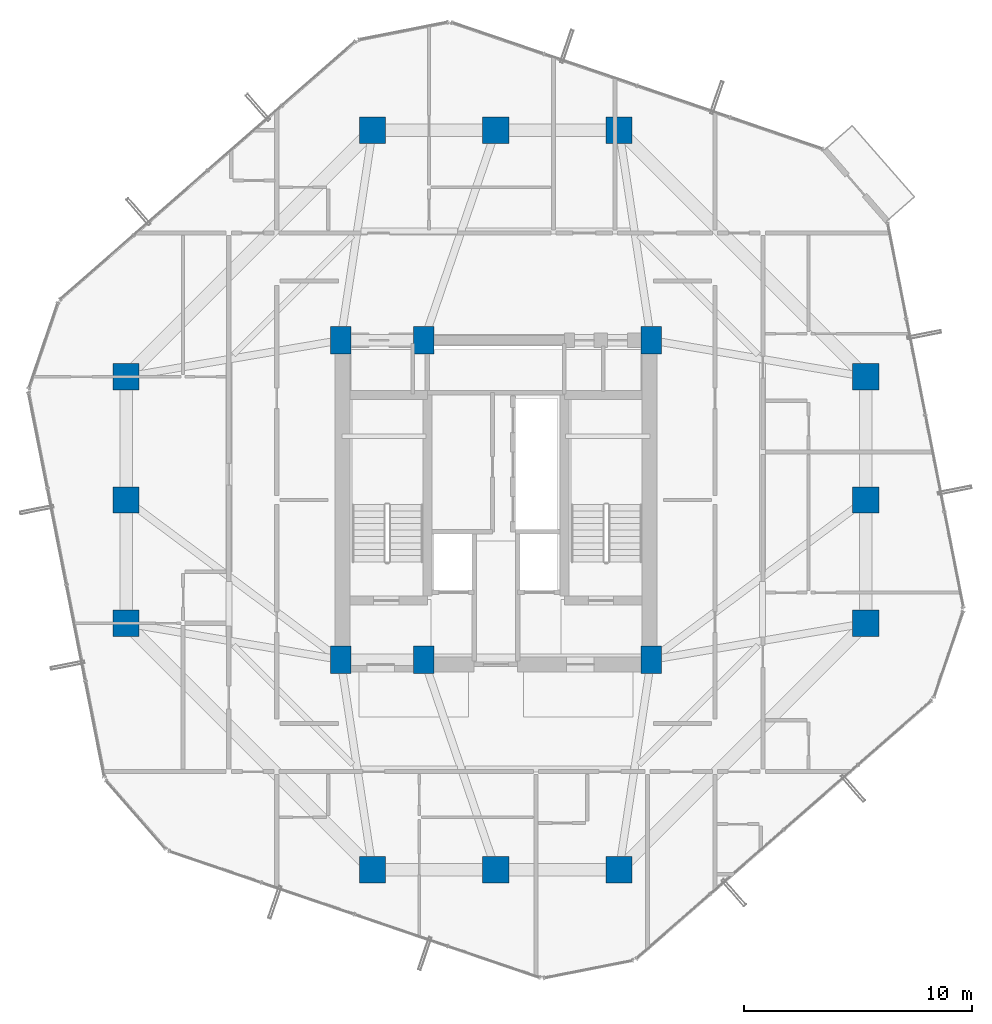
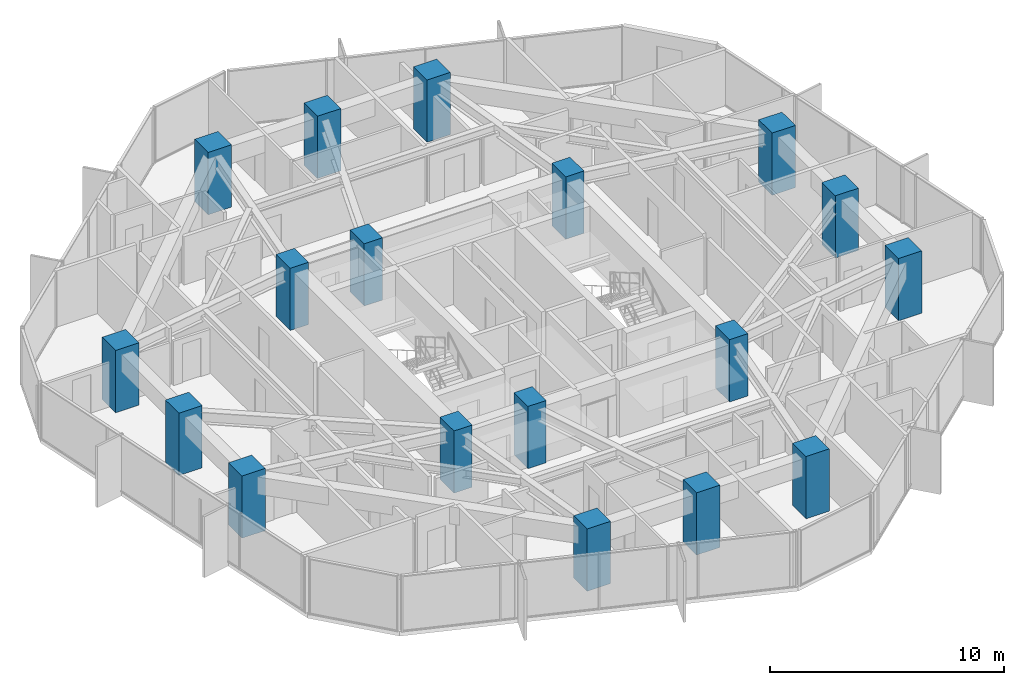
# One storey, part 1 of 36: 18 columns.
"""IFC4 building model written with IfcOpenShell, lengths in metres."""

from ifc_helpers import new_model, si_unit, direction, frame, origin, origin_2d, place, context, subcontext, project, spatial, rectangle, extrude, material, material_profile, profile_set, type_object, element, save


model = new_model("IFC4")

# Units and contexts
model_context = context("Model", 3, precision=1e-05, world=origin(), true_north=direction((0.0, 1.0)))
body_context = subcontext(model_context, "Body", "Model", "MODEL_VIEW")
ifc_project = project(units=[si_unit("LENGTHUNIT", "METRE"), si_unit("AREAUNIT", "SQUARE_METRE"), si_unit("VOLUMEUNIT", "CUBIC_METRE"), si_unit("PLANEANGLEUNIT", "RADIAN"), si_unit("MASSUNIT", "GRAM", prefix="KILO")], contexts=[model_context])

# Site, building, storey
site_placement = place(None, origin())
site = spatial("IfcSite", under=ifc_project, at=site_placement, CompositionType="ELEMENT")
building_placement = place(site_placement, origin())
building = spatial("IfcBuilding", under=site, at=building_placement, Name="Veraguas Prism Commons", CompositionType="ELEMENT")
storey_placement = place(building_placement, frame((0.0, 0.0, 166.300048828125)))
storey = spatial("IfcBuildingStorey", under=building, at=storey_placement, Name="L47", CompositionType="ELEMENT", Elevation=166.300048828125)

# Columns
ifc_material = material(Name="Concrete C60/75", Category="concrete")
ifc_material_profile_1 = material_profile(ifc_material, rectangle(XDim=1.14990234375, YDim=1.14990234375, at=origin_2d()), Name="RC1150X1150")
ifc_profile_set_1 = profile_set([ifc_material_profile_1], Name="Concrete C60/75")
column_type_1 = type_object("IfcColumnType", Name="Column Tube Z2 RC 1150x1150", PredefinedType="COLUMN", material=ifc_profile_set_1)
for number, where, z_axis, x_axis, name in (
    (1, (40.199951171875, 18.60009765625, 0.0), (0.0, 0.0, 1.0), (1.0, 0.0, 0.0), "Tower Perimeter Column L47-TB01"),
    (2, (40.199951171875, 24.0, 0.0), (0.0, 0.0, 1.0), (1.0, 0.0, 0.0), "Tower Perimeter Column L47-TB02"),
    (3, (40.199951171875, 29.39990234375, 0.0), (0.0, 0.0, 1.0), (1.0, 0.0, 0.0), "Tower Perimeter Column L47-TB03"),
    (4, (29.39990234375, 40.199951171875, 0.0), (0.0, 0.0, 1.0), (1.0, 0.0, 0.0), "Tower Perimeter Column L47-TB04"),
    (5, (24.0, 40.199951171875, 0.0), (0.0, 0.0, 1.0), (1.0, 0.0, 0.0), "Tower Perimeter Column L47-TB05"),
    (6, (18.60009765625, 40.199951171875, 0.0), (0.0, 0.0, 1.0), (1.0, 0.0, 0.0), "Tower Perimeter Column L47-TB06"),
    (7, (7.800048828125, 29.39990234375, 0.0), (0.0, 0.0, 1.0), (1.0, 0.0, 0.0), "Tower Perimeter Column L47-TB07"),
    (8, (7.800048828125, 24.0, 0.0), (0.0, 0.0, 1.0), (1.0, 0.0, 0.0), "Tower Perimeter Column L47-TB08"),
    (9, (7.800048828125, 18.60009765625, 0.0), (0.0, 0.0, 1.0), (1.0, 0.0, 0.0), "Tower Perimeter Column L47-TB09"),
    (10, (18.60009765625, 7.800048828125, 0.0), (0.0, 0.0, 1.0), (1.0, 0.0, 0.0), "Tower Perimeter Column L47-TB10"),
    (11, (24.0, 7.800048828125, 0.0), (0.0, 0.0, 1.0), (1.0, 0.0, 0.0), "Tower Perimeter Column L47-TB11"),
    (12, (29.39990234375, 7.800048828125, 0.0), (0.0, 0.0, 1.0), (1.0, 0.0, 0.0), "Tower Perimeter Column L47-TB12"),
):
    element("IfcColumn", number, at=place(storey_placement, frame(where, z_axis=z_axis, x_axis=x_axis)), inside=storey, type_object=column_type_1, Name=name, PredefinedType="COLUMN", context=body_context, shape_type="SweptSolid", body=[
        extrude(rectangle(XDim=1.14990234375, YDim=1.14990234375, at=origin_2d()), origin(), (0.0, 0.0, 1.0), 3.25),
    ])
ifc_material_profile_2 = material_profile(ifc_material, rectangle(XDim=0.89990234375, YDim=1.199951171875, at=origin_2d()), Name="RC900X1200")
ifc_profile_set_2 = profile_set([ifc_material_profile_2], Name="Concrete C60/75")
column_type_2 = type_object("IfcColumnType", Name="Pilaster Core Lower RC 900x1200", PredefinedType="PILASTER", material=ifc_profile_set_2)
for number, where, z_axis, x_axis, name in (
    (13, (17.199951171875, 17.0, 0.0), (0.0, 0.0, 1.0), (1.0, 0.0, 0.0), "Core Pilaster Column L47-CR1"),
    (14, (20.85009765625, 17.0, 0.0), (0.0, 0.0, 1.0), (1.0, 0.0, 0.0), "Core Pilaster Column L47-CR2"),
    (15, (30.800048828125, 17.0, 0.0), (0.0, 0.0, 1.0), (1.0, 0.0, 0.0), "Core Pilaster Column L47-CR3"),
    (16, (17.199951171875, 31.0, 0.0), (0.0, 0.0, 1.0), (1.0, 0.0, 0.0), "Core Pilaster Column L47-CR4"),
    (17, (20.85009765625, 31.0, 0.0), (0.0, 0.0, 1.0), (1.0, 0.0, 0.0), "Core Pilaster Column L47-CR5"),
    (18, (30.800048828125, 31.0, 0.0), (0.0, 0.0, 1.0), (1.0, 0.0, 0.0), "Core Pilaster Column L47-CR6"),
):
    element("IfcColumn", number, at=place(storey_placement, frame(where, z_axis=z_axis, x_axis=x_axis)), inside=storey, type_object=column_type_2, Name=name, PredefinedType="PILASTER", context=body_context, shape_type="SweptSolid", body=[
        extrude(rectangle(XDim=0.89990234375, YDim=1.199951171875, at=origin_2d()), origin(), (0.0, 0.0, 1.0), 3.25),
    ])

save(model, "model.ifc")
